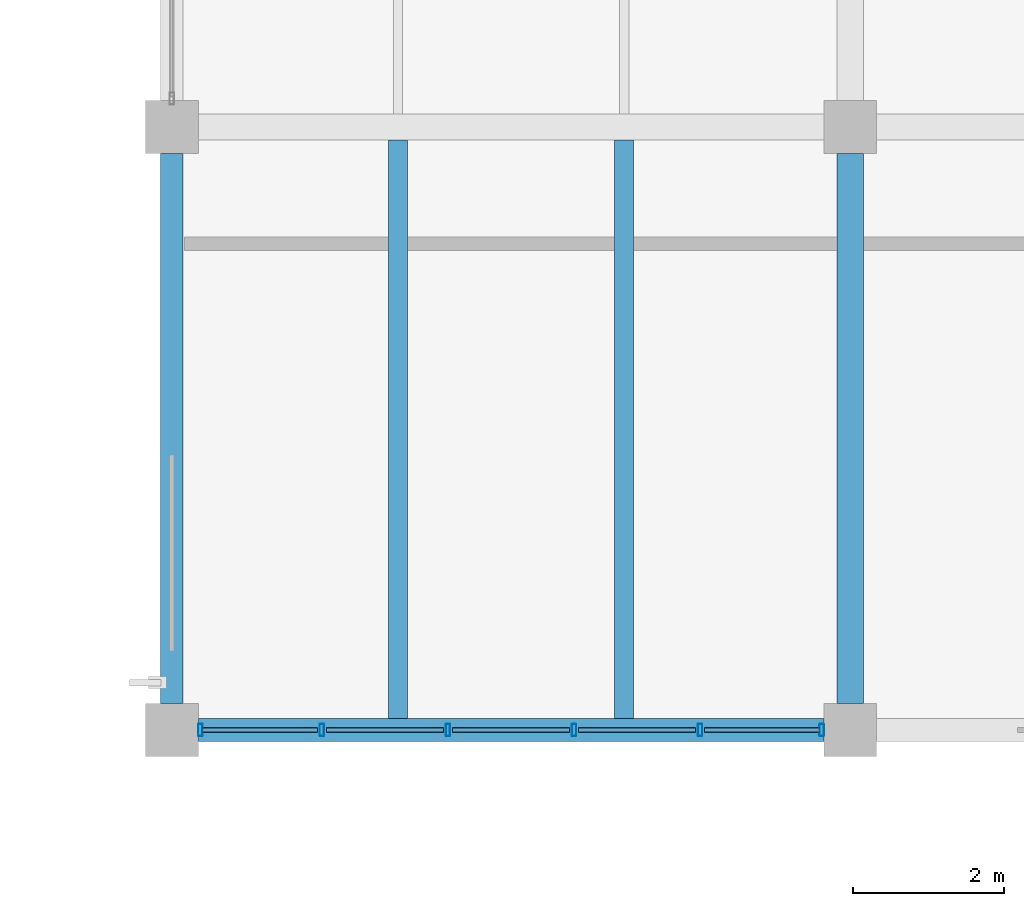
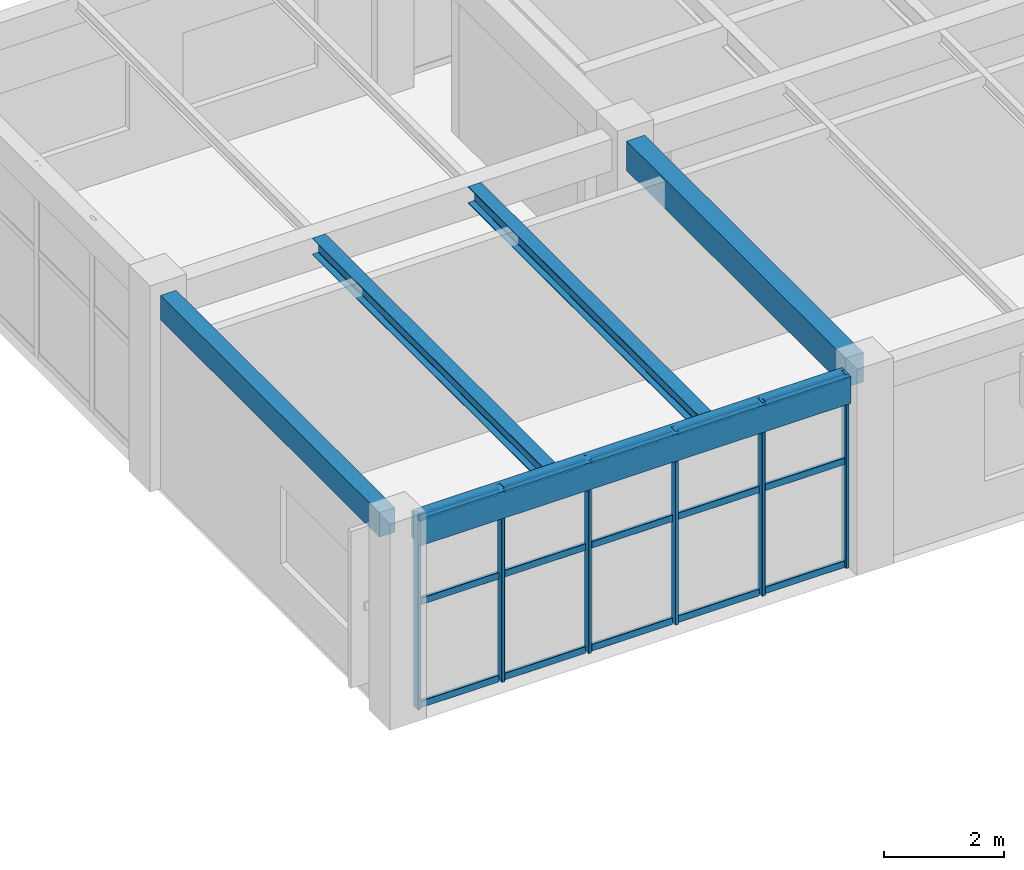
# One storey, part 60 of 128: 21 members, 5 beams, 1 element without a shape of its own.
"""IFC4 building model written with IfcOpenShell, lengths in metres."""

from ifc_helpers import new_model, si_unit, derived_unit, direction, frame, origin, origin_2d, place, context, subcontext, project, spatial, rectangle, hollow_rectangle, i_section, extrude, material, material_profile, profile_set, type_object, element, aggregate, save


model = new_model("IFC4")

# Units and contexts
model_context = context("Model", 3, precision=1e-05, world=origin(), true_north=direction((0.0, 1.0)))
body_context = subcontext(model_context, "Body", "Model", "MODEL_VIEW")
ifc_project = project(units=[si_unit("LENGTHUNIT", "METRE"), si_unit("AREAUNIT", "SQUARE_METRE"), si_unit("VOLUMEUNIT", "CUBIC_METRE"), si_unit("PLANEANGLEUNIT", "RADIAN"), si_unit("MASSUNIT", "GRAM", prefix="KILO"), derived_unit("THERMALTRANSMITTANCEUNIT", [(si_unit("MASSUNIT", "GRAM", prefix="KILO"), 1), (si_unit("TIMEUNIT", "SECOND"), -3), (si_unit("THERMODYNAMICTEMPERATUREUNIT", "KELVIN"), -1)])], contexts=[model_context])

# Site, building, storey
site_placement = place(None, origin())
site = spatial("IfcSite", under=ifc_project, at=site_placement, CompositionType="ELEMENT")
building_placement = place(site_placement, origin())
building = spatial("IfcBuilding", under=site, at=building_placement, Name="Zhenchuan Archway Interchange", CompositionType="ELEMENT")
storey_placement = place(building_placement, frame((0.0, 0.0, 14.39990234375)))
storey = spatial("IfcBuildingStorey", under=building, at=storey_placement, Name="L03", CompositionType="ELEMENT", Elevation=14.39990234375)

# Beam
ifc_material_1 = material(Name="Concrete C40", Category="concrete")
ifc_material_profile_1 = material_profile(ifc_material_1, rectangle(XDim=0.35009765625, YDim=0.60009765625, at=origin_2d()), Name="RC 350x600")
ifc_profile_set_1 = profile_set([ifc_material_profile_1], Name="Concrete C40")
beam_type_1 = type_object("IfcBeamType", Name="BM_RC_350x600", PredefinedType="BEAM", material=ifc_profile_set_1)
beam_1_placement = place(storey_placement, frame((117.0, 88.35009765625, 3.64013671875), z_axis=(0.0, 1.0, 0.0), x_axis=(-1.0, 0.0, 0.0)))
element("IfcBeam", 1, at=beam_1_placement, inside=storey, type_object=beam_type_1, Name="Beam 14:M-N (L03)", PredefinedType="BEAM", context=body_context, shape_type="SweptSolid", body=[
    extrude(rectangle(XDim=0.35009765625, YDim=0.60009765625, at=origin_2d()), origin(), (0.0, 0.0, 1.0), 7.2998046875),
])

# Curtain wall, members
ifc_material_2 = material(Name="Anodised Aluminium", Category="aluminium")
curtain_wall_type = type_object("IfcCurtainWallType", Name="CW_UNIT_2", PredefinedType="NOTDEFINED", material=ifc_material_2)
curtain_wall_placement = place(storey_placement, origin())
curtain_wall = element("IfcCurtainWall", 2, at=curtain_wall_placement, inside=storey, type_object=curtain_wall_type, Name="Unitised curtain wall CW:L03:173", PredefinedType="NOTDEFINED")
ifc_material_profile_2 = material_profile(ifc_material_2, hollow_rectangle(XDim=0.06005859375, YDim=0.159912109375, WallThickness=0.00390625, InnerFilletRadius=0.00390625, OuterFilletRadius=0.008056640625, at=origin_2d()), Name="ALU 160x60x4")
ifc_profile_set_2 = profile_set([ifc_material_profile_2], Name="Anodised Aluminium")
member_type_1 = type_object("IfcMemberType", Name="CW_MUL_150", PredefinedType="MULLION", material=ifc_profile_set_2)
member_1_placement = place(storey_placement, frame((116.6220703125, 88.0, 0.0), z_axis=(0.0, 0.0, 1.0), x_axis=(1.0, 0.0, 0.0)))
member_1 = element("IfcMember", 3, at=member_1_placement, type_object=member_type_1, Name="CW:L03:173 mullion 0", PredefinedType="MULLION", context=body_context, shape_type="SweptSolid", body=[
    extrude(hollow_rectangle(XDim=0.06005859375, YDim=0.159912109375, WallThickness=0.00390625, InnerFilletRadius=0.00390625, OuterFilletRadius=0.008056640625, at=origin_2d()), origin(), (0.0, 0.0, 1.0), 3.940185546875),
])
member_2_placement = place(storey_placement, frame((115.00927734375, 88.0, 0.0), z_axis=(0.0, 0.0, 1.0), x_axis=(1.0, 0.0, 0.0)))
member_2 = element("IfcMember", 4, at=member_2_placement, type_object=member_type_1, Name="CW:L03:173 mullion 1", PredefinedType="MULLION", context=body_context, shape_type="SweptSolid", body=[
    extrude(hollow_rectangle(XDim=0.06005859375, YDim=0.159912109375, WallThickness=0.00390625, InnerFilletRadius=0.00390625, OuterFilletRadius=0.008056640625, at=origin_2d()), origin(), (0.0, 0.0, 1.0), 3.940185546875),
])
member_3_placement = place(storey_placement, frame((113.33642578125, 88.0, 0.0), z_axis=(0.0, 0.0, 1.0), x_axis=(1.0, 0.0, 0.0)))
member_3 = element("IfcMember", 5, at=member_3_placement, type_object=member_type_1, Name="CW:L03:173 mullion 2", PredefinedType="MULLION", context=body_context, shape_type="SweptSolid", body=[
    extrude(hollow_rectangle(XDim=0.06005859375, YDim=0.159912109375, WallThickness=0.00390625, InnerFilletRadius=0.00390625, OuterFilletRadius=0.008056640625, at=origin_2d()), origin(), (0.0, 0.0, 1.0), 3.940185546875),
])
member_4_placement = place(storey_placement, frame((111.66357421875, 88.0, 0.0), z_axis=(0.0, 0.0, 1.0), x_axis=(1.0, 0.0, 0.0)))
member_4 = element("IfcMember", 6, at=member_4_placement, type_object=member_type_1, Name="CW:L03:173 mullion 3", PredefinedType="MULLION", context=body_context, shape_type="SweptSolid", body=[
    extrude(hollow_rectangle(XDim=0.06005859375, YDim=0.159912109375, WallThickness=0.00390625, InnerFilletRadius=0.00390625, OuterFilletRadius=0.008056640625, at=origin_2d()), origin(), (0.0, 0.0, 1.0), 3.940185546875),
])
member_5_placement = place(storey_placement, frame((109.99072265625, 88.0, 0.0), z_axis=(0.0, 0.0, 1.0), x_axis=(1.0, 0.0, 0.0)))
member_5 = element("IfcMember", 7, at=member_5_placement, type_object=member_type_1, Name="CW:L03:173 mullion 4", PredefinedType="MULLION", context=body_context, shape_type="SweptSolid", body=[
    extrude(hollow_rectangle(XDim=0.06005859375, YDim=0.159912109375, WallThickness=0.00390625, InnerFilletRadius=0.00390625, OuterFilletRadius=0.008056640625, at=origin_2d()), origin(), (0.0, 0.0, 1.0), 3.940185546875),
])
member_6_placement = place(storey_placement, frame((108.3779296875, 88.0, 0.0), z_axis=(0.0, 0.0, 1.0), x_axis=(1.0, 0.0, 0.0)))
member_6 = element("IfcMember", 8, at=member_6_placement, type_object=member_type_1, Name="CW:L03:173 mullion 5", PredefinedType="MULLION", context=body_context, shape_type="SweptSolid", body=[
    extrude(hollow_rectangle(XDim=0.06005859375, YDim=0.159912109375, WallThickness=0.00390625, InnerFilletRadius=0.00390625, OuterFilletRadius=0.008056640625, at=origin_2d()), origin(), (0.0, 0.0, 1.0), 3.940185546875),
])
ifc_material_profile_3 = material_profile(ifc_material_2, hollow_rectangle(XDim=0.06005859375, YDim=0.139892578125, WallThickness=0.00341796875, InnerFilletRadius=0.00341796875, OuterFilletRadius=0.007080078125, at=origin_2d()), Name="ALU 140x60x3.5")
ifc_profile_set_3 = profile_set([ifc_material_profile_3], Name="Anodised Aluminium")
member_type_2 = type_object("IfcMemberType", Name="CW_TRN_140", PredefinedType="USERDEFINED", material=ifc_profile_set_3)
member_7_placement = place(storey_placement, frame((116.60205078125, 88.0, 0.06005859375), z_axis=(-1.0, 0.0, 0.0), x_axis=(0.0, -1.0, 0.0)))
member_7 = element("IfcMember", 9, at=member_7_placement, type_object=member_type_2, Name="CW:L03:173 transom 0-1", ObjectType="TRANSOM", PredefinedType="USERDEFINED", context=body_context, shape_type="SweptSolid", body=[
    extrude(hollow_rectangle(XDim=0.06005859375, YDim=0.139892578125, WallThickness=0.00341796875, InnerFilletRadius=0.00341796875, OuterFilletRadius=0.007080078125, at=origin_2d()), origin(), (0.0, 0.0, 1.0), 1.532958984375),
])
member_8_placement = place(storey_placement, frame((116.60205078125, 88.0, 2.156005859375), z_axis=(-1.0, 0.0, 0.0), x_axis=(0.0, -1.0, 0.0)))
member_8 = element("IfcMember", 10, at=member_8_placement, type_object=member_type_2, Name="CW:L03:173 transom 0-2", ObjectType="TRANSOM", PredefinedType="USERDEFINED", context=body_context, shape_type="SweptSolid", body=[
    extrude(hollow_rectangle(XDim=0.06005859375, YDim=0.139892578125, WallThickness=0.00341796875, InnerFilletRadius=0.00341796875, OuterFilletRadius=0.007080078125, at=origin_2d()), origin(), (0.0, 0.0, 1.0), 1.532958984375),
])
member_9_placement = place(storey_placement, frame((116.60205078125, 88.0, 3.860107421875), z_axis=(-1.0, 0.0, 0.0), x_axis=(0.0, -1.0, 0.0)))
member_9 = element("IfcMember", 11, at=member_9_placement, type_object=member_type_2, Name="CW:L03:173 transom 0-3", ObjectType="TRANSOM", PredefinedType="USERDEFINED", context=body_context, shape_type="SweptSolid", body=[
    extrude(hollow_rectangle(XDim=0.06005859375, YDim=0.139892578125, WallThickness=0.00341796875, InnerFilletRadius=0.00341796875, OuterFilletRadius=0.007080078125, at=origin_2d()), origin(), (0.0, 0.0, 1.0), 1.532958984375),
])
member_10_placement = place(storey_placement, frame((114.94921875, 88.0, 0.06005859375), z_axis=(-1.0, 0.0, 0.0), x_axis=(0.0, -1.0, 0.0)))
member_10 = element("IfcMember", 12, at=member_10_placement, type_object=member_type_2, Name="CW:L03:173 transom 1-1", ObjectType="TRANSOM", PredefinedType="USERDEFINED", context=body_context, shape_type="SweptSolid", body=[
    extrude(hollow_rectangle(XDim=0.06005859375, YDim=0.139892578125, WallThickness=0.00341796875, InnerFilletRadius=0.00341796875, OuterFilletRadius=0.007080078125, at=origin_2d()), origin(), (0.0, 0.0, 1.0), 1.552734375),
])
member_11_placement = place(storey_placement, frame((114.94921875, 88.0, 2.156005859375), z_axis=(-1.0, 0.0, 0.0), x_axis=(0.0, -1.0, 0.0)))
member_11 = element("IfcMember", 13, at=member_11_placement, type_object=member_type_2, Name="CW:L03:173 transom 1-2", ObjectType="TRANSOM", PredefinedType="USERDEFINED", context=body_context, shape_type="SweptSolid", body=[
    extrude(hollow_rectangle(XDim=0.06005859375, YDim=0.139892578125, WallThickness=0.00341796875, InnerFilletRadius=0.00341796875, OuterFilletRadius=0.007080078125, at=origin_2d()), origin(), (0.0, 0.0, 1.0), 1.552734375),
])
member_12_placement = place(storey_placement, frame((114.94921875, 88.0, 3.860107421875), z_axis=(-1.0, 0.0, 0.0), x_axis=(0.0, -1.0, 0.0)))
member_12 = element("IfcMember", 14, at=member_12_placement, type_object=member_type_2, Name="CW:L03:173 transom 1-3", ObjectType="TRANSOM", PredefinedType="USERDEFINED", context=body_context, shape_type="SweptSolid", body=[
    extrude(hollow_rectangle(XDim=0.06005859375, YDim=0.139892578125, WallThickness=0.00341796875, InnerFilletRadius=0.00341796875, OuterFilletRadius=0.007080078125, at=origin_2d()), origin(), (0.0, 0.0, 1.0), 1.552734375),
])
member_13_placement = place(storey_placement, frame((113.2763671875, 88.0, 0.06005859375), z_axis=(-1.0, 0.0, 0.0), x_axis=(0.0, -1.0, 0.0)))
member_13 = element("IfcMember", 15, at=member_13_placement, type_object=member_type_2, Name="CW:L03:173 transom 2-1", ObjectType="TRANSOM", PredefinedType="USERDEFINED", context=body_context, shape_type="SweptSolid", body=[
    extrude(hollow_rectangle(XDim=0.06005859375, YDim=0.139892578125, WallThickness=0.00341796875, InnerFilletRadius=0.00341796875, OuterFilletRadius=0.007080078125, at=origin_2d()), origin(), (0.0, 0.0, 1.0), 1.552734375),
])
member_14_placement = place(storey_placement, frame((113.2763671875, 88.0, 2.156005859375), z_axis=(-1.0, 0.0, 0.0), x_axis=(0.0, -1.0, 0.0)))
member_14 = element("IfcMember", 16, at=member_14_placement, type_object=member_type_2, Name="CW:L03:173 transom 2-2", ObjectType="TRANSOM", PredefinedType="USERDEFINED", context=body_context, shape_type="SweptSolid", body=[
    extrude(hollow_rectangle(XDim=0.06005859375, YDim=0.139892578125, WallThickness=0.00341796875, InnerFilletRadius=0.00341796875, OuterFilletRadius=0.007080078125, at=origin_2d()), origin(), (0.0, 0.0, 1.0), 1.552734375),
])
member_15_placement = place(storey_placement, frame((113.2763671875, 88.0, 3.860107421875), z_axis=(-1.0, 0.0, 0.0), x_axis=(0.0, -1.0, 0.0)))
member_15 = element("IfcMember", 17, at=member_15_placement, type_object=member_type_2, Name="CW:L03:173 transom 2-3", ObjectType="TRANSOM", PredefinedType="USERDEFINED", context=body_context, shape_type="SweptSolid", body=[
    extrude(hollow_rectangle(XDim=0.06005859375, YDim=0.139892578125, WallThickness=0.00341796875, InnerFilletRadius=0.00341796875, OuterFilletRadius=0.007080078125, at=origin_2d()), origin(), (0.0, 0.0, 1.0), 1.552734375),
])
member_16_placement = place(storey_placement, frame((111.603515625, 88.0, 0.06005859375), z_axis=(-1.0, 0.0, 0.0), x_axis=(0.0, -1.0, 0.0)))
member_16 = element("IfcMember", 18, at=member_16_placement, type_object=member_type_2, Name="CW:L03:173 transom 3-1", ObjectType="TRANSOM", PredefinedType="USERDEFINED", context=body_context, shape_type="SweptSolid", body=[
    extrude(hollow_rectangle(XDim=0.06005859375, YDim=0.139892578125, WallThickness=0.00341796875, InnerFilletRadius=0.00341796875, OuterFilletRadius=0.007080078125, at=origin_2d()), origin(), (0.0, 0.0, 1.0), 1.552734375),
])
member_17_placement = place(storey_placement, frame((111.603515625, 88.0, 2.156005859375), z_axis=(-1.0, 0.0, 0.0), x_axis=(0.0, -1.0, 0.0)))
member_17 = element("IfcMember", 19, at=member_17_placement, type_object=member_type_2, Name="CW:L03:173 transom 3-2", ObjectType="TRANSOM", PredefinedType="USERDEFINED", context=body_context, shape_type="SweptSolid", body=[
    extrude(hollow_rectangle(XDim=0.06005859375, YDim=0.139892578125, WallThickness=0.00341796875, InnerFilletRadius=0.00341796875, OuterFilletRadius=0.007080078125, at=origin_2d()), origin(), (0.0, 0.0, 1.0), 1.552734375),
])
member_18_placement = place(storey_placement, frame((111.603515625, 88.0, 3.860107421875), z_axis=(-1.0, 0.0, 0.0), x_axis=(0.0, -1.0, 0.0)))
member_18 = element("IfcMember", 20, at=member_18_placement, type_object=member_type_2, Name="CW:L03:173 transom 3-3", ObjectType="TRANSOM", PredefinedType="USERDEFINED", context=body_context, shape_type="SweptSolid", body=[
    extrude(hollow_rectangle(XDim=0.06005859375, YDim=0.139892578125, WallThickness=0.00341796875, InnerFilletRadius=0.00341796875, OuterFilletRadius=0.007080078125, at=origin_2d()), origin(), (0.0, 0.0, 1.0), 1.552734375),
])
member_19_placement = place(storey_placement, frame((109.930908203125, 88.0, 0.06005859375), z_axis=(-1.0, 0.0, 0.0), x_axis=(0.0, -1.0, 0.0)))
member_19 = element("IfcMember", 21, at=member_19_placement, type_object=member_type_2, Name="CW:L03:173 transom 4-1", ObjectType="TRANSOM", PredefinedType="USERDEFINED", context=body_context, shape_type="SweptSolid", body=[
    extrude(hollow_rectangle(XDim=0.06005859375, YDim=0.139892578125, WallThickness=0.00341796875, InnerFilletRadius=0.00341796875, OuterFilletRadius=0.007080078125, at=origin_2d()), origin(), (0.0, 0.0, 1.0), 1.532958984375),
])
member_20_placement = place(storey_placement, frame((109.930908203125, 88.0, 2.156005859375), z_axis=(-1.0, 0.0, 0.0), x_axis=(0.0, -1.0, 0.0)))
member_20 = element("IfcMember", 22, at=member_20_placement, type_object=member_type_2, Name="CW:L03:173 transom 4-2", ObjectType="TRANSOM", PredefinedType="USERDEFINED", context=body_context, shape_type="SweptSolid", body=[
    extrude(hollow_rectangle(XDim=0.06005859375, YDim=0.139892578125, WallThickness=0.00341796875, InnerFilletRadius=0.00341796875, OuterFilletRadius=0.007080078125, at=origin_2d()), origin(), (0.0, 0.0, 1.0), 1.532958984375),
])
member_21_placement = place(storey_placement, frame((109.930908203125, 88.0, 3.860107421875), z_axis=(-1.0, 0.0, 0.0), x_axis=(0.0, -1.0, 0.0)))
member_21 = element("IfcMember", 23, at=member_21_placement, type_object=member_type_2, Name="CW:L03:173 transom 4-3", ObjectType="TRANSOM", PredefinedType="USERDEFINED", context=body_context, shape_type="SweptSolid", body=[
    extrude(hollow_rectangle(XDim=0.06005859375, YDim=0.139892578125, WallThickness=0.00341796875, InnerFilletRadius=0.00341796875, OuterFilletRadius=0.007080078125, at=origin_2d()), origin(), (0.0, 0.0, 1.0), 1.532958984375),
])
aggregate(curtain_wall, [member_1, member_2, member_3, member_4, member_5, member_6, member_7, member_8, member_9, member_10, member_11, member_12, member_13, member_14, member_15, member_16, member_17, member_18, member_19, member_20, member_21])

# Beams
ifc_material_3 = material(Name="Steel Q355", Category="steel")
ifc_material_profile_4 = material_profile(ifc_material_3, i_section(OverallWidth=0.25, OverallDepth=0.340087890625, WebThickness=0.009033203125, FlangeThickness=0.013916015625, FilletRadius=0.01806640625, at=origin_2d()), Name="HM 340x250")
ifc_profile_set_4 = profile_set([ifc_material_profile_4], Name="Steel Q355")
beam_type_2 = type_object("IfcBeamType", Name="JST_STL_HM340", PredefinedType="JOIST", material=ifc_profile_set_4)
for number, where, z_axis, x_axis, name in (
    (24, (111.0, 88.14990234375, 3.77001953125), (0.0, 1.0, 0.0), (-1.0, 0.0, 0.0), "Secondary joist 13-14/M-N #1 (L03)"),
    (25, (114.0, 88.14990234375, 3.77001953125), (0.0, 1.0, 0.0), (-1.0, 0.0, 0.0), "Secondary joist 13-14/M-N #2 (L03)"),
):
    element("IfcBeam", number, at=place(storey_placement, frame(where, z_axis=z_axis, x_axis=x_axis)), inside=storey, type_object=beam_type_2, Name=name, PredefinedType="JOIST", context=body_context, shape_type="SweptSolid", body=[
        extrude(i_section(OverallWidth=0.25, OverallDepth=0.340087890625, WebThickness=0.009033203125, FlangeThickness=0.013916015625, FilletRadius=0.01806640625, at=origin_2d()), origin(), (0.0, 0.0, 1.0), 7.675048828125),
    ])
ifc_material_profile_5 = material_profile(ifc_material_1, rectangle(XDim=0.300048828125, YDim=0.5, at=origin_2d()), Name="RC 300x500")
ifc_profile_set_5 = profile_set([ifc_material_profile_5], Name="Concrete C40")
beam_type_3 = type_object("IfcBeamType", Name="SP_RC_300x500", PredefinedType="SPANDREL", material=ifc_profile_set_5)
beam_2_placement = place(storey_placement, frame((108.0, 88.35009765625, 3.690185546875), z_axis=(0.0, 1.0, 0.0), x_axis=(-1.0, 0.0, 0.0)))
element("IfcBeam", 26, at=beam_2_placement, inside=storey, type_object=beam_type_3, Name="Beam 13:M-N (L03)", PredefinedType="SPANDREL", context=body_context, shape_type="SweptSolid", body=[
    extrude(rectangle(XDim=0.300048828125, YDim=0.5, at=origin_2d()), origin(), (0.0, 0.0, 1.0), 7.2998046875),
])
ifc_material_profile_6 = material_profile(ifc_material_1, rectangle(XDim=0.300048828125, YDim=0.550048828125, at=origin_2d()), Name="RC 300x550")
ifc_profile_set_6 = profile_set([ifc_material_profile_6], Name="Concrete C40")
beam_type_4 = type_object("IfcBeamType", Name="SP_RC_300x550", PredefinedType="SPANDREL", material=ifc_profile_set_6)
beam_3_placement = place(storey_placement, frame((108.35009765625, 88.0, 3.6650390625), z_axis=(1.0, 0.0, 0.0), x_axis=(0.0, 1.0, 0.0)))
element("IfcBeam", 27, at=beam_3_placement, inside=storey, type_object=beam_type_4, Name="Beam M:13-14 (L03)", PredefinedType="SPANDREL", context=body_context, shape_type="SweptSolid", body=[
    extrude(rectangle(XDim=0.300048828125, YDim=0.550048828125, at=origin_2d()), origin(), (0.0, 0.0, 1.0), 8.2998046875),
])

save(model, "model.ifc")
